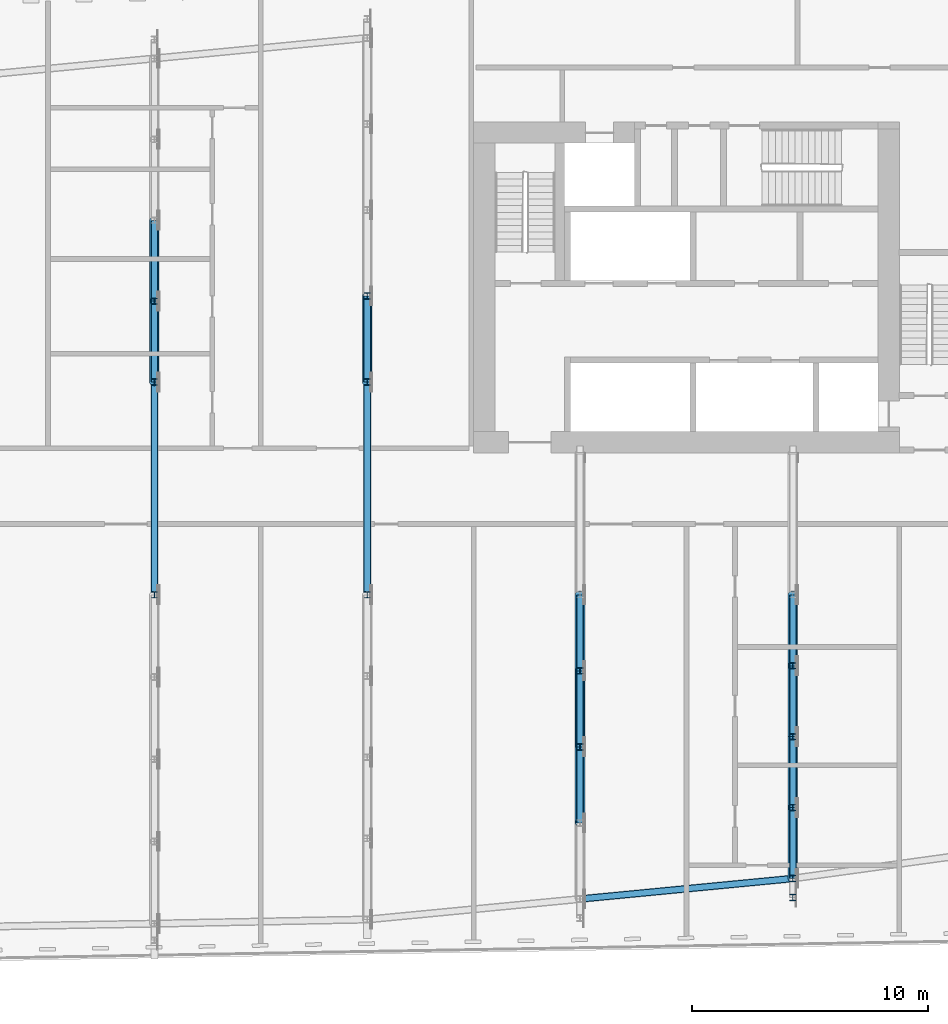
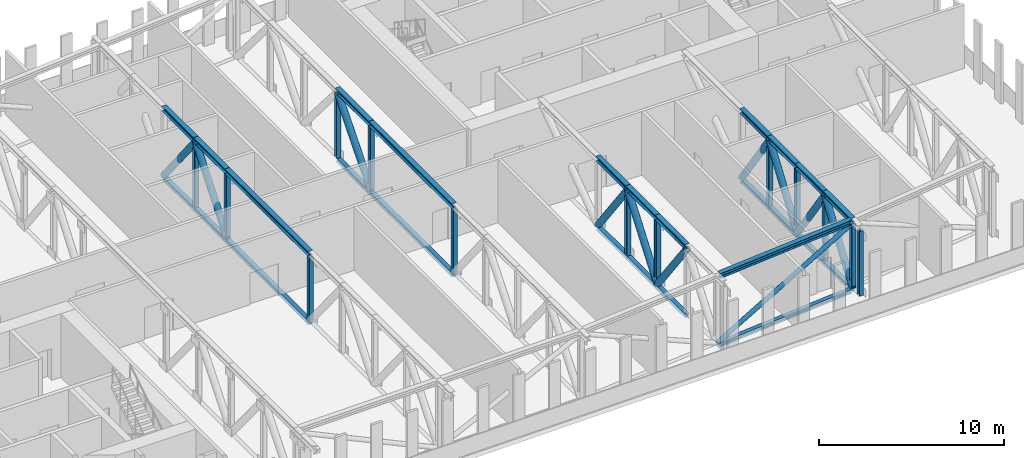
# One storey, part 4 of 26: 50 members.
"""IFC4 building model written with IfcOpenShell, lengths in metres."""

from ifc_helpers import new_model, si_unit, direction, frame, origin, origin_2d, place, context, subcontext, project, spatial, hollow_circle, i_section, extrude, material, material_profile, profile_set, type_object, element, save


model = new_model("IFC4")

# Units and contexts
model_context = context("Model", 3, precision=1e-05, world=origin(), true_north=direction((0.0, 1.0)))
body_context = subcontext(model_context, "Body", "Model", "MODEL_VIEW")
ifc_project = project(units=[si_unit("LENGTHUNIT", "METRE"), si_unit("AREAUNIT", "SQUARE_METRE"), si_unit("VOLUMEUNIT", "CUBIC_METRE"), si_unit("PLANEANGLEUNIT", "RADIAN"), si_unit("MASSUNIT", "GRAM", prefix="KILO")], contexts=[model_context])

# Site, building, storey
site_placement = place(None, origin())
site = spatial("IfcSite", under=ifc_project, at=site_placement, CompositionType="ELEMENT")
building_placement = place(site_placement, origin())
building = spatial("IfcBuilding", under=site, at=building_placement, Name="Kajstack Hotel Tower", CompositionType="ELEMENT")
storey_placement = place(building_placement, frame((0.0, 0.0, 257.300048828125)))
storey = spatial("IfcBuildingStorey", under=building, at=storey_placement, Name="L64", CompositionType="ELEMENT", Elevation=257.300048828125)

# Members
ifc_material = material(Name="Steel S355J2", Category="steel")
ifc_material_profile_1 = material_profile(ifc_material, i_section(OverallWidth=0.260009765625, OverallDepth=0.260009765625, WebThickness=0.010009765625, FlangeThickness=0.017578125, FilletRadius=0.02392578125, at=origin_2d()), Name="HEB 260")
ifc_profile_set_1 = profile_set([ifc_material_profile_1], Name="Steel S355J2")
member_type_1 = type_object("IfcMemberType", Name="Belt truss bottom chord BB5 HEB 260", PredefinedType="CHORD", material=ifc_profile_set_1)
member_1_placement = place(storey_placement, frame((18.12939453125, -17.35009765625, -0.130126953125), z_axis=(0.995397612188, 0.095831068294, 0.0), x_axis=(-0.095831068294, 0.995397612188, 0.0)))
element("IfcMember", 1, at=member_1_placement, inside=storey, type_object=member_type_1, Name="S-belt-truss-L64-s07-b", PredefinedType="CHORD", context=body_context, shape_type="SweptSolid", body=[
    extrude(i_section(OverallWidth=0.260009765625, OverallDepth=0.260009765625, WebThickness=0.010009765625, FlangeThickness=0.017578125, FilletRadius=0.02392578125, at=origin_2d()), origin(), (0.0, 0.0, 1.0), 8.78173828125),
])
ifc_material_profile_2 = material_profile(ifc_material, i_section(OverallWidth=0.260009765625, OverallDepth=0.260009765625, WebThickness=0.010009765625, FlangeThickness=0.017578125, FilletRadius=0.02392578125, at=origin_2d()), Name="HEB 260")
ifc_profile_set_2 = profile_set([ifc_material_profile_2], Name="Steel S355J2")
member_type_2 = type_object("IfcMemberType", Name="Belt truss bottom chord BC5 HEB 260", PredefinedType="CHORD", material=ifc_profile_set_2)
member_2_placement = place(storey_placement, frame((0.0, -4.5, -0.130126953125), z_axis=(0.0, 1.0, 0.0), x_axis=(-1.0, 0.0, 0.0)))
element("IfcMember", 2, at=member_2_placement, inside=storey, type_object=member_type_2, Name="S-belt-truss-L64-+0p0-1-bc18", PredefinedType="CHORD", context=body_context, shape_type="SweptSolid", body=[
    extrude(i_section(OverallWidth=0.260009765625, OverallDepth=0.260009765625, WebThickness=0.010009765625, FlangeThickness=0.017578125, FilletRadius=0.02392578125, at=origin_2d()), origin(), (0.0, 0.0, 1.0), 9.0),
])
for number, where, z_axis, x_axis, name in (
    (3, (0.0, 4.5, -0.130126953125), (0.0, 1.0, 0.0), (-1.0, 0.0, 0.0), "S-belt-truss-L64-+0p0-1-bc19"),
    (4, (0.0, 7.921142578125, -0.130126953125), (0.0, 1.0, 0.0), (-1.0, 0.0, 0.0), "S-belt-truss-L64-+0p0-1-bc20"),
):
    element("IfcMember", number, at=place(storey_placement, frame(where, z_axis=z_axis, x_axis=x_axis)), inside=storey, type_object=member_type_2, Name=name, PredefinedType="CHORD", context=body_context, shape_type="SweptSolid", body=[
        extrude(i_section(OverallWidth=0.260009765625, OverallDepth=0.260009765625, WebThickness=0.010009765625, FlangeThickness=0.017578125, FilletRadius=0.02392578125, at=origin_2d()), origin(), (0.0, 0.0, 1.0), 3.421142578125),
    ])
member_3_placement = place(storey_placement, frame((9.0, -4.5, -0.130126953125), z_axis=(0.0, 1.0, 0.0), x_axis=(-1.0, 0.0, 0.0)))
element("IfcMember", 5, at=member_3_placement, inside=storey, type_object=member_type_2, Name="S-belt-truss-L64-+9p0-1-bc16", PredefinedType="CHORD", context=body_context, shape_type="SweptSolid", body=[
    extrude(i_section(OverallWidth=0.260009765625, OverallDepth=0.260009765625, WebThickness=0.010009765625, FlangeThickness=0.017578125, FilletRadius=0.02392578125, at=origin_2d()), origin(), (0.0, 0.0, 1.0), 9.0),
])
member_4_placement = place(storey_placement, frame((9.0, 4.5, -0.130126953125), z_axis=(0.0, 1.0, 0.0), x_axis=(-1.0, 0.0, 0.0)))
element("IfcMember", 6, at=member_4_placement, inside=storey, type_object=member_type_2, Name="S-belt-truss-L64-+9p0-1-bc17", PredefinedType="CHORD", context=body_context, shape_type="SweptSolid", body=[
    extrude(i_section(OverallWidth=0.260009765625, OverallDepth=0.260009765625, WebThickness=0.010009765625, FlangeThickness=0.017578125, FilletRadius=0.02392578125, at=origin_2d()), origin(), (0.0, 0.0, 1.0), 3.637939453125),
])
for number, where, z_axis, x_axis, name in (
    (7, (18.0, -14.14697265625, -0.130126953125), (0.0, 1.0, 0.0), (-1.0, 0.0, 0.0), "S-outrigger-truss-L64-+18p0-1-bc9"),
    (8, (18.0, -10.931396484375, -0.130126953125), (0.0, 1.0, 0.0), (-1.0, 0.0, 0.0), "S-outrigger-truss-L64-+18p0-1-bc10"),
):
    element("IfcMember", number, at=place(storey_placement, frame(where, z_axis=z_axis, x_axis=x_axis)), inside=storey, type_object=member_type_2, Name=name, PredefinedType="CHORD", context=body_context, shape_type="SweptSolid", body=[
        extrude(i_section(OverallWidth=0.260009765625, OverallDepth=0.260009765625, WebThickness=0.010009765625, FlangeThickness=0.017578125, FilletRadius=0.02392578125, at=origin_2d()), origin(), (0.0, 0.0, 1.0), 3.215576171875),
    ])
member_5_placement = place(storey_placement, frame((18.0, -7.7158203125, -0.130126953125), z_axis=(0.0, 1.0, 0.0), x_axis=(-1.0, 0.0, 0.0)))
element("IfcMember", 9, at=member_5_placement, inside=storey, type_object=member_type_2, Name="S-outrigger-truss-L64-+18p0-1-bc11", PredefinedType="CHORD", context=body_context, shape_type="SweptSolid", body=[
    extrude(i_section(OverallWidth=0.260009765625, OverallDepth=0.260009765625, WebThickness=0.010009765625, FlangeThickness=0.017578125, FilletRadius=0.02392578125, at=origin_2d()), origin(), (0.0, 0.0, 1.0), 3.2158203125),
])
for number, where, z_axis, x_axis, name in (
    (10, (27.0, -16.49609375, -0.130126953125), (0.0, 1.0, 0.0), (-1.0, 0.0, 0.0), "S-outrigger-truss-L64-+27p0-1-bc8"),
    (11, (27.0, -13.4970703125, -0.130126953125), (0.0, 1.0, 0.0), (-1.0, 0.0, 0.0), "S-outrigger-truss-L64-+27p0-1-bc9"),
    (12, (27.0, -10.498046875, -0.130126953125), (0.0, 1.0, 0.0), (-1.0, 0.0, 0.0), "S-outrigger-truss-L64-+27p0-1-bc10"),
    (13, (27.0, -7.4990234375, -0.130126953125), (0.0, 1.0, 0.0), (-1.0, 0.0, 0.0), "S-outrigger-truss-L64-+27p0-1-bc11"),
):
    element("IfcMember", number, at=place(storey_placement, frame(where, z_axis=z_axis, x_axis=x_axis)), inside=storey, type_object=member_type_2, Name=name, PredefinedType="CHORD", context=body_context, shape_type="SweptSolid", body=[
        extrude(i_section(OverallWidth=0.260009765625, OverallDepth=0.260009765625, WebThickness=0.010009765625, FlangeThickness=0.017578125, FilletRadius=0.02392578125, at=origin_2d()), origin(), (0.0, 0.0, 1.0), 2.9990234375),
    ])
ifc_material_profile_3 = material_profile(ifc_material, hollow_circle(Radius=0.136474609375, WallThickness=0.012451171875, at=origin_2d()), Name="CHS 273x12.5")
ifc_profile_set_3 = profile_set([ifc_material_profile_3], Name="Steel S355J2")
member_type_3 = type_object("IfcMemberType", Name="Belt truss diagonal BD5 CHS 273x12.5", PredefinedType="BRACE", material=ifc_profile_set_3)
member_6_placement = place(storey_placement, frame((18.0, -17.36279296875, 0.0), z_axis=(0.899685981991, 0.086639681968, 0.427853595657), x_axis=(-0.095856468129, 0.995395166513, 0.0)))
element("IfcMember", 14, at=member_6_placement, inside=storey, type_object=member_type_3, Name="S-belt-truss-L64-s07-d", PredefinedType="BRACE", context=body_context, shape_type="SweptSolid", body=[
    extrude(hollow_circle(Radius=0.136474609375, WallThickness=0.012451171875, at=origin_2d()), origin(), (0.0, 0.0, 1.0), 10.00341796875),
])
ifc_material_profile_4 = material_profile(ifc_material, hollow_circle(Radius=0.203125, WallThickness=0.01611328125, at=origin_2d()), Name="CHS 406.4x16")
ifc_profile_set_4 = profile_set([ifc_material_profile_4], Name="Steel S355J2")
member_type_4 = type_object("IfcMemberType", Name="Belt truss diagonal DG5 CHS 406.4x16", PredefinedType="BRACE", material=ifc_profile_set_4)
for number, where, z_axis, x_axis, name in (
    (15, (0.0, 4.5, 0.0), (0.0, 0.624374403314, 0.781125216906), (-1.0, 0.0, 0.0), "S-belt-truss-L64-+0p0-1-dg40"),
    (16, (0.0, 11.34228515625, 0.0), (0.0, -0.624374403314, 0.781125216906), (1.0, 0.0, 0.0), "S-belt-truss-L64-+0p0-1-dg41"),
):
    element("IfcMember", number, at=place(storey_placement, frame(where, z_axis=z_axis, x_axis=x_axis)), inside=storey, type_object=member_type_4, Name=name, PredefinedType="BRACE", context=body_context, shape_type="SweptSolid", body=[
        extrude(hollow_circle(Radius=0.203125, WallThickness=0.01611328125, at=origin_2d()), origin(), (0.0, 0.0, 1.0), 5.479248046875),
    ])
member_7_placement = place(storey_placement, frame((9.0, 4.5, 0.0), z_axis=(0.0, 0.647639588708, 0.76194682435), x_axis=(-1.0, 0.0, 0.0)))
element("IfcMember", 17, at=member_7_placement, inside=storey, type_object=member_type_4, Name="S-belt-truss-L64-+9p0-1-dg37", PredefinedType="BRACE", context=body_context, shape_type="SweptSolid", body=[
    extrude(hollow_circle(Radius=0.203125, WallThickness=0.01611328125, at=origin_2d()), origin(), (0.0, 0.0, 1.0), 5.6171875),
])
for number, where, z_axis, x_axis, name in (
    (18, (18.0, -10.931396484375, 0.0), (0.0, -0.600663802508, 0.799501717544), (1.0, 0.0, 0.0), "S-outrigger-truss-L64-+18p0-1-dg20"),
    (19, (18.0, -10.931396484375, 0.0), (0.0, 0.600663802508, 0.799501717544), (-1.0, 0.0, 0.0), "S-outrigger-truss-L64-+18p0-1-dg21"),
):
    element("IfcMember", number, at=place(storey_placement, frame(where, z_axis=z_axis, x_axis=x_axis)), inside=storey, type_object=member_type_4, Name=name, PredefinedType="BRACE", context=body_context, shape_type="SweptSolid", body=[
        extrude(hollow_circle(Radius=0.203125, WallThickness=0.01611328125, at=origin_2d()), origin(), (0.0, 0.0, 1.0), 5.353271484375),
    ])
member_8_placement = place(storey_placement, frame((18.0, -4.5, 0.0), z_axis=(0.0, -0.60069295218, 0.799479816631), x_axis=(1.0, 0.0, 0.0)))
element("IfcMember", 20, at=member_8_placement, inside=storey, type_object=member_type_4, Name="S-outrigger-truss-L64-+18p0-1-dg22", PredefinedType="BRACE", context=body_context, shape_type="SweptSolid", body=[
    extrude(hollow_circle(Radius=0.203125, WallThickness=0.01611328125, at=origin_2d()), origin(), (0.0, 0.0, 1.0), 5.353515625),
])
for number, where, z_axis, x_axis, name in (
    (21, (27.0, -16.49609375, 0.0), (0.0, 0.573847915296, 0.818961885628), (-1.0, 0.0, 0.0), "S-outrigger-truss-L64-+27p0-1-dg19"),
    (22, (27.0, -10.498046875, 0.0), (0.0, -0.573847915296, 0.818961885628), (1.0, 0.0, 0.0), "S-outrigger-truss-L64-+27p0-1-dg20"),
    (23, (27.0, -10.498046875, 0.0), (0.0, 0.573847915296, 0.818961885628), (-1.0, 0.0, 0.0), "S-outrigger-truss-L64-+27p0-1-dg21"),
    (24, (27.0, -4.5, 0.0), (0.0, -0.573847915296, 0.818961885628), (1.0, 0.0, 0.0), "S-outrigger-truss-L64-+27p0-1-dg22"),
):
    element("IfcMember", number, at=place(storey_placement, frame(where, z_axis=z_axis, x_axis=x_axis)), inside=storey, type_object=member_type_4, Name=name, PredefinedType="BRACE", context=body_context, shape_type="SweptSolid", body=[
        extrude(hollow_circle(Radius=0.203125, WallThickness=0.01611328125, at=origin_2d()), origin(), (0.0, 0.0, 1.0), 5.22607421875),
    ])
ifc_material_profile_5 = material_profile(ifc_material, i_section(OverallWidth=0.260009765625, OverallDepth=0.260009765625, WebThickness=0.010009765625, FlangeThickness=0.017578125, FilletRadius=0.02392578125, at=origin_2d()), Name="HEB 260")
ifc_profile_set_5 = profile_set([ifc_material_profile_5], Name="Steel S355J2")
member_type_5 = type_object("IfcMemberType", Name="Belt truss post PO5 HEB 260", PredefinedType="POST", material=ifc_profile_set_5)
for number, where, z_axis, x_axis, name in (
    (25, (0.0, -4.5, 0.0), (0.0, 0.0, 1.0), (1.0, 0.0, 0.0), "S-belt-truss-L64-+0p0-1-po29"),
    (26, (0.0, 4.5, 0.0), (0.0, 0.0, 1.0), (1.0, 0.0, 0.0), "S-belt-truss-L64-+0p0-1-po30"),
    (27, (0.0, 7.921142578125, 0.0), (0.0, 0.0, 1.0), (1.0, 0.0, 0.0), "S-belt-truss-L64-+0p0-1-po31"),
    (28, (9.0, -4.5, 0.0), (0.0, 0.0, 1.0), (1.0, 0.0, 0.0), "S-belt-truss-L64-+9p0-1-po26"),
    (29, (9.0, 4.5, 0.0), (0.0, 0.0, 1.0), (1.0, 0.0, 0.0), "S-belt-truss-L64-+9p0-1-po27"),
    (30, (9.0, 8.137939453125, 0.0), (0.0, 0.0, 1.0), (1.0, 0.0, 0.0), "S-belt-truss-L64-+9p0-1-po28"),
    (31, (18.0, -10.931396484375, 0.0), (0.0, 0.0, 1.0), (1.0, 0.0, 0.0), "S-outrigger-truss-L64-+18p0-1-po16"),
    (32, (18.0, -7.7158203125, 0.0), (0.0, 0.0, 1.0), (1.0, 0.0, 0.0), "S-outrigger-truss-L64-+18p0-1-po17"),
    (33, (27.0, -17.296142578125, 0.0), (0.0, 0.0, 1.0), (1.0, 0.0, 0.0), "S-outrigger-truss-L64-+27p0-1-po13"),
    (34, (27.0, -16.49609375, 0.0), (0.0, 0.0, 1.0), (1.0, 0.0, 0.0), "S-outrigger-truss-L64-+27p0-1-po14"),
    (35, (27.0, -13.4970703125, 0.0), (0.0, 0.0, 1.0), (1.0, 0.0, 0.0), "S-outrigger-truss-L64-+27p0-1-po15"),
    (36, (27.0, -10.498046875, 0.0), (0.0, 0.0, 1.0), (1.0, 0.0, 0.0), "S-outrigger-truss-L64-+27p0-1-po16"),
    (37, (27.0, -7.4990234375, 0.0), (0.0, 0.0, 1.0), (1.0, 0.0, 0.0), "S-outrigger-truss-L64-+27p0-1-po17"),
):
    element("IfcMember", number, at=place(storey_placement, frame(where, z_axis=z_axis, x_axis=x_axis)), inside=storey, type_object=member_type_5, Name=name, PredefinedType="POST", context=body_context, shape_type="SweptSolid", body=[
        extrude(i_section(OverallWidth=0.260009765625, OverallDepth=0.260009765625, WebThickness=0.010009765625, FlangeThickness=0.017578125, FilletRadius=0.02392578125, at=origin_2d()), origin(), (0.0, 0.0, 1.0), 4.280029296875),
    ])
ifc_material_profile_6 = material_profile(ifc_material, i_section(OverallWidth=0.300048828125, OverallDepth=0.320068359375, WebThickness=0.011474609375, FlangeThickness=0.0205078125, FilletRadius=0.027099609375, at=origin_2d()), Name="HEB 320")
ifc_profile_set_6 = profile_set([ifc_material_profile_6], Name="Steel S355J2")
member_type_6 = type_object("IfcMemberType", Name="Belt truss top chord BT5 HEB 320", PredefinedType="CHORD", material=ifc_profile_set_6)
member_9_placement = place(storey_placement, frame((18.1494140625, -17.348388671875, 4.43994140625), z_axis=(0.995395510024, 0.095852900965, 0.0), x_axis=(-0.095852900965, 0.995395510024, 0.0)))
element("IfcMember", 38, at=member_9_placement, inside=storey, type_object=member_type_6, Name="S-belt-truss-L64-s07-t", PredefinedType="CHORD", context=body_context, shape_type="SweptSolid", body=[
    extrude(i_section(OverallWidth=0.300048828125, OverallDepth=0.320068359375, WebThickness=0.011474609375, FlangeThickness=0.0205078125, FilletRadius=0.027099609375, at=origin_2d()), origin(), (0.0, 0.0, 1.0), 8.741455078125),
])
ifc_material_profile_7 = material_profile(ifc_material, i_section(OverallWidth=0.300048828125, OverallDepth=0.320068359375, WebThickness=0.011474609375, FlangeThickness=0.0205078125, FilletRadius=0.027099609375, at=origin_2d()), Name="HEB 320")
ifc_profile_set_7 = profile_set([ifc_material_profile_7], Name="Steel S355J2")
member_type_7 = type_object("IfcMemberType", Name="Belt truss top chord TC5 HEB 320", PredefinedType="CHORD", material=ifc_profile_set_7)
member_10_placement = place(storey_placement, frame((0.0, -4.5, 4.43994140625), z_axis=(0.0, 1.0, 0.0), x_axis=(-1.0, 0.0, 0.0)))
element("IfcMember", 39, at=member_10_placement, inside=storey, type_object=member_type_7, Name="S-belt-truss-L64-+0p0-1-tc7", PredefinedType="CHORD", context=body_context, shape_type="SweptSolid", body=[
    extrude(i_section(OverallWidth=0.300048828125, OverallDepth=0.320068359375, WebThickness=0.011474609375, FlangeThickness=0.0205078125, FilletRadius=0.027099609375, at=origin_2d()), origin(), (0.0, 0.0, 1.0), 9.0),
])
for number, where, z_axis, x_axis, name in (
    (40, (0.0, 4.5, 4.43994140625), (0.0, 1.0, 0.0), (-1.0, 0.0, 0.0), "S-belt-truss-L64-+0p0-1-tc8"),
    (41, (0.0, 7.921142578125, 4.43994140625), (0.0, 1.0, 0.0), (-1.0, 0.0, 0.0), "S-belt-truss-L64-+0p0-1-tc9"),
):
    element("IfcMember", number, at=place(storey_placement, frame(where, z_axis=z_axis, x_axis=x_axis)), inside=storey, type_object=member_type_7, Name=name, PredefinedType="CHORD", context=body_context, shape_type="SweptSolid", body=[
        extrude(i_section(OverallWidth=0.300048828125, OverallDepth=0.320068359375, WebThickness=0.011474609375, FlangeThickness=0.0205078125, FilletRadius=0.027099609375, at=origin_2d()), origin(), (0.0, 0.0, 1.0), 3.421142578125),
    ])
member_11_placement = place(storey_placement, frame((9.0, -4.5, 4.43994140625), z_axis=(0.0, 1.0, 0.0), x_axis=(-1.0, 0.0, 0.0)))
element("IfcMember", 42, at=member_11_placement, inside=storey, type_object=member_type_7, Name="S-belt-truss-L64-+9p0-1-tc6", PredefinedType="CHORD", context=body_context, shape_type="SweptSolid", body=[
    extrude(i_section(OverallWidth=0.300048828125, OverallDepth=0.320068359375, WebThickness=0.011474609375, FlangeThickness=0.0205078125, FilletRadius=0.027099609375, at=origin_2d()), origin(), (0.0, 0.0, 1.0), 9.0),
])
member_12_placement = place(storey_placement, frame((9.0, 4.5, 4.43994140625), z_axis=(0.0, 1.0, 0.0), x_axis=(-1.0, 0.0, 0.0)))
element("IfcMember", 43, at=member_12_placement, inside=storey, type_object=member_type_7, Name="S-belt-truss-L64-+9p0-1-tc7", PredefinedType="CHORD", context=body_context, shape_type="SweptSolid", body=[
    extrude(i_section(OverallWidth=0.300048828125, OverallDepth=0.320068359375, WebThickness=0.011474609375, FlangeThickness=0.0205078125, FilletRadius=0.027099609375, at=origin_2d()), origin(), (0.0, 0.0, 1.0), 3.637939453125),
])
for number, where, z_axis, x_axis, name in (
    (44, (18.0, -14.14697265625, 4.43994140625), (0.0, 1.0, 0.0), (-1.0, 0.0, 0.0), "S-outrigger-truss-L64-+18p0-1-tc3"),
    (45, (18.0, -10.931396484375, 4.43994140625), (0.0, 1.0, 0.0), (-1.0, 0.0, 0.0), "S-outrigger-truss-L64-+18p0-1-tc4"),
):
    element("IfcMember", number, at=place(storey_placement, frame(where, z_axis=z_axis, x_axis=x_axis)), inside=storey, type_object=member_type_7, Name=name, PredefinedType="CHORD", context=body_context, shape_type="SweptSolid", body=[
        extrude(i_section(OverallWidth=0.300048828125, OverallDepth=0.320068359375, WebThickness=0.011474609375, FlangeThickness=0.0205078125, FilletRadius=0.027099609375, at=origin_2d()), origin(), (0.0, 0.0, 1.0), 3.215576171875),
    ])
member_13_placement = place(storey_placement, frame((18.0, -7.7158203125, 4.43994140625), z_axis=(0.0, 1.0, 0.0), x_axis=(-1.0, 0.0, 0.0)))
element("IfcMember", 46, at=member_13_placement, inside=storey, type_object=member_type_7, Name="S-outrigger-truss-L64-+18p0-1-tc5", PredefinedType="CHORD", context=body_context, shape_type="SweptSolid", body=[
    extrude(i_section(OverallWidth=0.300048828125, OverallDepth=0.320068359375, WebThickness=0.011474609375, FlangeThickness=0.0205078125, FilletRadius=0.027099609375, at=origin_2d()), origin(), (0.0, 0.0, 1.0), 3.2158203125),
])
for number, where, z_axis, x_axis, name in (
    (47, (27.0, -16.49609375, 4.43994140625), (0.0, 1.0, 0.0), (-1.0, 0.0, 0.0), "S-outrigger-truss-L64-+27p0-1-tc2"),
    (48, (27.0, -13.4970703125, 4.43994140625), (0.0, 1.0, 0.0), (-1.0, 0.0, 0.0), "S-outrigger-truss-L64-+27p0-1-tc3"),
    (49, (27.0, -10.498046875, 4.43994140625), (0.0, 1.0, 0.0), (-1.0, 0.0, 0.0), "S-outrigger-truss-L64-+27p0-1-tc4"),
    (50, (27.0, -7.4990234375, 4.43994140625), (0.0, 1.0, 0.0), (-1.0, 0.0, 0.0), "S-outrigger-truss-L64-+27p0-1-tc5"),
):
    element("IfcMember", number, at=place(storey_placement, frame(where, z_axis=z_axis, x_axis=x_axis)), inside=storey, type_object=member_type_7, Name=name, PredefinedType="CHORD", context=body_context, shape_type="SweptSolid", body=[
        extrude(i_section(OverallWidth=0.300048828125, OverallDepth=0.320068359375, WebThickness=0.011474609375, FlangeThickness=0.0205078125, FilletRadius=0.027099609375, at=origin_2d()), origin(), (0.0, 0.0, 1.0), 2.9990234375),
    ])

save(model, "model.ifc")
